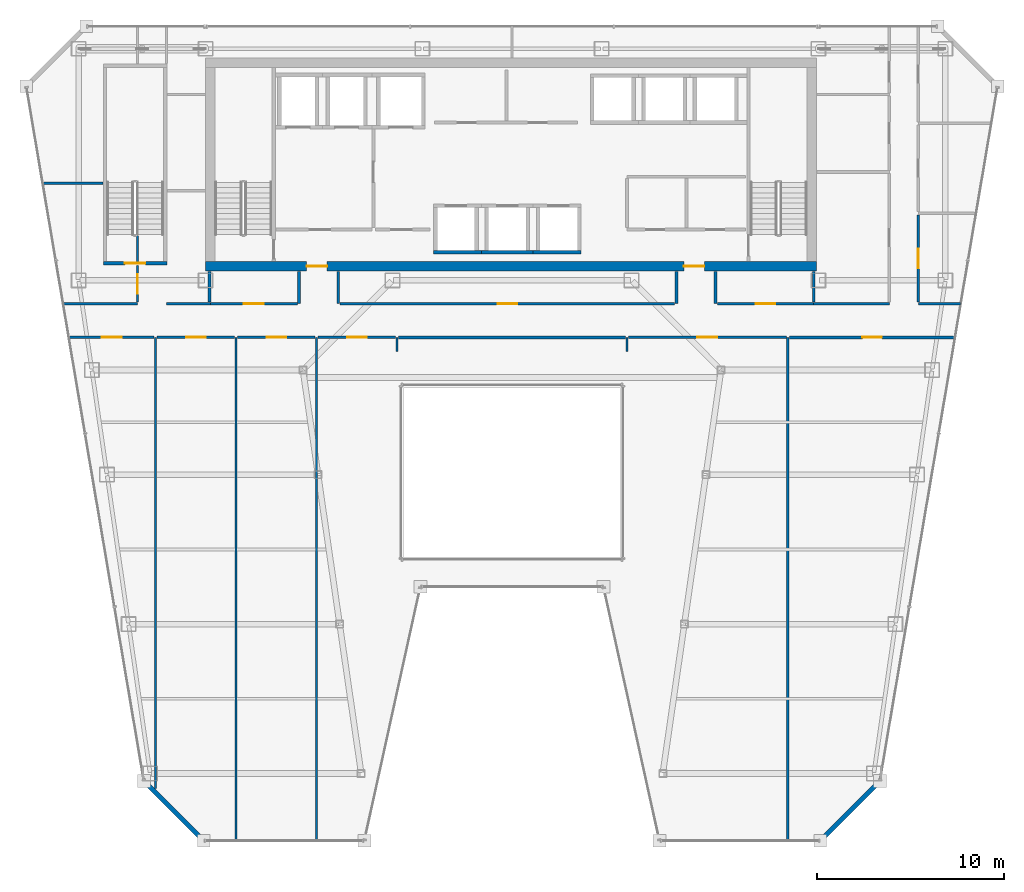
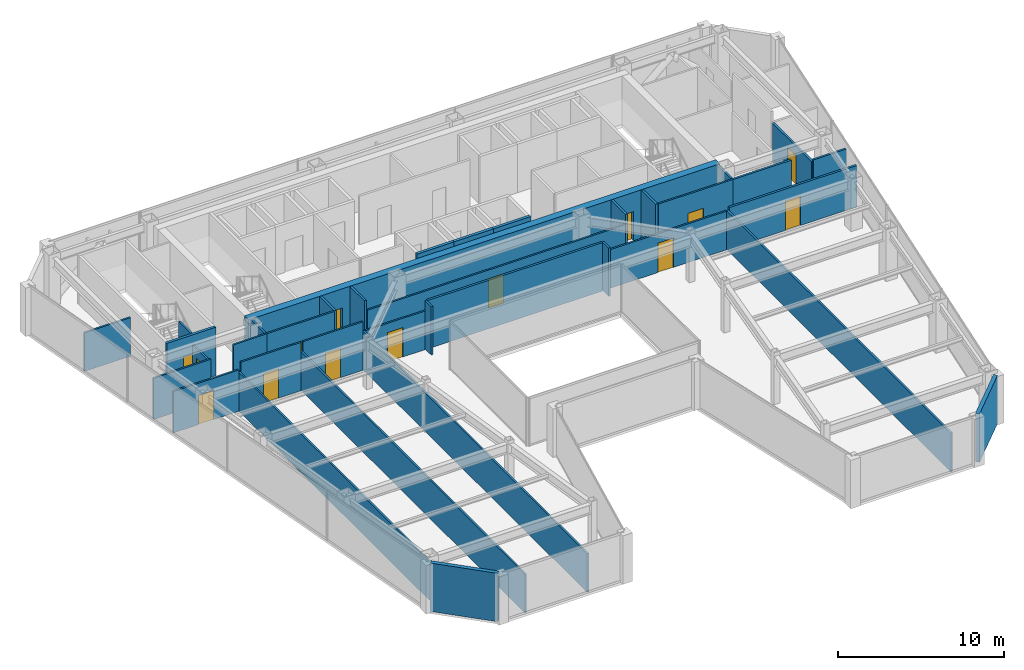
# One storey, part 30 of 35: 37 walls, 14 doors, 14 openings.
"""IFC4 building model written with IfcOpenShell, lengths in metres."""

from ifc_helpers import new_model, si_unit, direction, frame, frame_2d, origin, place, context, subcontext, project, spatial, rectangle, extrude, material, layer, layer_set, type_object, element, fill, save


model = new_model("IFC4")

# Units and contexts
model_context = context("Model", 3, precision=1e-05, world=origin(), true_north=direction((0.0, 1.0)))
body_context = subcontext(model_context, "Body", "Model", "MODEL_VIEW")
ifc_project = project(units=[si_unit("LENGTHUNIT", "METRE"), si_unit("AREAUNIT", "SQUARE_METRE"), si_unit("VOLUMEUNIT", "CUBIC_METRE"), si_unit("PLANEANGLEUNIT", "RADIAN"), si_unit("MASSUNIT", "GRAM", prefix="KILO")], contexts=[model_context])

# Site, building, storey
site_placement = place(None, origin())
site = spatial("IfcSite", under=ifc_project, at=site_placement, CompositionType="ELEMENT")
building_placement = place(site_placement, origin())
building = spatial("IfcBuilding", under=site, at=building_placement, Name="Saevonmaru Cultural Tower", CompositionType="ELEMENT")
storey_placement = place(building_placement, frame((0.0, 0.0, 194.199951171875)))
storey = spatial("IfcBuildingStorey", under=building, at=storey_placement, Name="L44", CompositionType="ELEMENT", Elevation=194.199951171875)

# Wall, openings, doors
ifc_material_1 = material(Name="Concrete C60/75", Category="concrete")
ifc_layer_1 = layer(ifc_material_1, 0.5, Name="Concrete C60/75")
ifc_layer_set_1 = layer_set([ifc_layer_1], Name="Concrete C60/75")
wall_type_1 = type_object("IfcWallType", Name="WL-CORE-500", PredefinedType="SHEAR", material=ifc_layer_set_1)
wall_1_placement = place(storey_placement, frame((13.60009765625, 43.14990234375, 0.0), z_axis=(0.0, 0.0, 1.0), x_axis=(1.0, 0.0, 0.0)))
wall_1 = element("IfcWall", 1, at=wall_1_placement, inside=storey, type_object=wall_type_1, Name="L44 Tower RC core shear wall S", PredefinedType="SHEAR", context=body_context, shape_type="SweptSolid", body=[
    extrude(rectangle(XDim=32.699951171875, YDim=0.5, at=frame_2d((16.35009765625, 0.0))), origin(), (0.0, 0.0, 1.0), 3.550048828125),
])
opening_1_placement = place(wall_1_placement, frame((5.39990234375, 0.0, 0.0)))
opening_1 = element("IfcOpeningElement", 2, at=opening_1_placement, cuts=wall_1, Name="Opening FD-2", PredefinedType="OPENING", context=body_context, shape_type="SweptSolid", body=[
    extrude(rectangle(XDim=1.10009765625, YDim=2.14990234375, at=frame_2d((0.550048828125, 1.074951171875))), frame((0.0, 0.260009765625, 0.0), z_axis=(0.0, -1.0, 0.0), x_axis=(1.0, 0.0, 0.0)), (0.0, 0.0, 1.0), 0.52001953125),
])
opening_2_placement = place(wall_1_placement, frame((25.60009765625, 0.0, 0.0)))
opening_2 = element("IfcOpeningElement", 3, at=opening_2_placement, cuts=wall_1, Name="Opening FD-2", PredefinedType="OPENING", context=body_context, shape_type="SweptSolid", body=[
    extrude(rectangle(XDim=1.10009765625, YDim=2.14990234375, at=frame_2d((0.550048828125, 1.074951171875))), frame((0.0, 0.260009765625, 0.0), z_axis=(0.0, -1.0, 0.0), x_axis=(1.0, 0.0, 0.0)), (0.0, 0.0, 1.0), 0.52001953125),
])
ifc_material_2 = material(Name="Satin Bronze Anodised Aluminium", Category="aluminium")
door_type_1 = type_object("IfcDoorType", Name="DR-FD60-1100", OperationType="SINGLE_SWING_LEFT", PredefinedType="DOOR", material=ifc_material_2)
door_1_placement = place(opening_1_placement, origin())
door_1 = element("IfcDoor", 4, at=door_1_placement, inside=storey, type_object=door_type_1, Name="L44 Core West Lobby Fire Door", OperationType="SINGLE_SWING_LEFT", OverallHeight=2.14990234375, OverallWidth=1.10009765625, PredefinedType="DOOR", context=body_context, shape_type="SweptSolid", body=[
    extrude(rectangle(XDim=1.10009765625, YDim=2.14990234375, at=frame_2d((0.550048828125, 1.074951171875))), frame((0.0, 0.02490234375, 0.0), z_axis=(0.0, -1.0, 0.0), x_axis=(1.0, 0.0, 0.0)), (0.0, 0.0, 1.0), 0.050048828125),
])
fill(opening_1, door_1)
door_2_placement = place(opening_2_placement, origin())
door_2 = element("IfcDoor", 5, at=door_2_placement, inside=storey, type_object=door_type_1, Name="L44 Core East Lobby Fire Door", OperationType="SINGLE_SWING_LEFT", OverallHeight=2.14990234375, OverallWidth=1.10009765625, PredefinedType="DOOR", context=body_context, shape_type="SweptSolid", body=[
    extrude(rectangle(XDim=1.10009765625, YDim=2.14990234375, at=frame_2d((0.550048828125, 1.074951171875))), frame((0.0, 0.02490234375, 0.0), z_axis=(0.0, -1.0, 0.0), x_axis=(1.0, 0.0, 0.0)), (0.0, 0.0, 1.0), 0.050048828125),
])
fill(opening_2, door_2)

# Walls
ifc_material_3 = material(Name="Granite-Clad Precast Concrete C40/50", Category="masonry")
ifc_layer_2 = layer(ifc_material_3, 0.260009765625, Name="Granite-Clad Precast Concrete C40/50")
ifc_layer_set_2 = layer_set([ifc_layer_2], Name="Granite-Clad Precast Concrete C40/50")
wall_type_2 = type_object("IfcWallType", Name="WL-EXT-SPANDREL-260", PredefinedType="STANDARD", material=ifc_layer_set_2)
for number, where, z_axis, x_axis, name in (
    (6, (10.410888671875, 15.48681640625, 0.0), (0.0, 0.0, 1.0), (0.707135806771, -0.70707775441, 0.0), "L44 Chamfer Corner Spandrel Wall E1"),
    (7, (46.615234375, 12.51318359375, 0.0), (0.0, 0.0, 1.0), (0.707135806771, 0.70707775441, 0.0), "L44 Chamfer Corner Spandrel Wall E7"),
):
    element("IfcWall", number, at=place(storey_placement, frame(where, z_axis=z_axis, x_axis=x_axis)), inside=storey, type_object=wall_type_2, Name=name, PredefinedType="STANDARD", context=body_context, shape_type="SweptSolid", body=[
        extrude(rectangle(XDim=4.20556640625, YDim=0.260009765625, at=frame_2d((2.102783203125, 0.0))), origin(), (0.0, 0.0, 1.0), 3.550048828125),
    ])

# Wall, opening, door
ifc_material_4 = material(Name="Gypsum Fireboard Partition", Category="gypsum")
ifc_layer_3 = layer(ifc_material_4, 0.14990234375, Name="Gypsum Fireboard Partition")
ifc_layer_set_3 = layer_set([ifc_layer_3], Name="Gypsum Fireboard Partition")
wall_type_3 = type_object("IfcWallType", Name="WL-PART-FIRE-150", PredefinedType="PARTITIONING", material=ifc_layer_set_3)
wall_2_placement = place(storey_placement, frame((51.75, 41.237548828125, 0.0), z_axis=(0.0, 0.0, 1.0), x_axis=(0.0, 1.0, 0.0)))
wall_2 = element("IfcWall", 8, at=wall_2_placement, inside=storey, type_object=wall_type_3, Name="L44 Special Collections Gallery Corridor Wall", PredefinedType="PARTITIONING", context=body_context, shape_type="SweptSolid", body=[
    extrude(rectangle(XDim=4.675048828125, YDim=0.14990234375, at=frame_2d((2.33740234375, 0.0))), origin(), (0.0, 0.0, 1.0), 2.8349609375),
])
opening_3_placement = place(wall_2_placement, frame((1.81298828125, 0.0, 0.0)))
opening_3 = element("IfcOpeningElement", 9, at=opening_3_placement, cuts=wall_2, Name="Opening ID-1", PredefinedType="OPENING", context=body_context, shape_type="SweptSolid", body=[
    extrude(rectangle(XDim=1.050048828125, YDim=2.14990234375, at=frame_2d((0.52490234375, 1.074951171875))), frame((0.0, 0.0849609375, 0.0), z_axis=(0.0, -1.0, 0.0), x_axis=(1.0, 0.0, 0.0)), (0.0, 0.0, 1.0), 0.169921875),
])
door_type_2 = type_object("IfcDoorType", Name="DR-INT-1050", OperationType="SINGLE_SWING_LEFT", PredefinedType="DOOR", material=ifc_material_2)
door_3_placement = place(opening_3_placement, origin())
door_3 = element("IfcDoor", 10, at=door_3_placement, inside=storey, type_object=door_type_2, Name="L44 Special Collections Gallery Door", OperationType="SINGLE_SWING_RIGHT", OverallHeight=2.14990234375, OverallWidth=1.050048828125, PredefinedType="DOOR", context=body_context, shape_type="SweptSolid", body=[
    extrude(rectangle(XDim=1.050048828125, YDim=2.14990234375, at=frame_2d((0.52490234375, 1.074951171875))), frame((0.0, 0.02490234375, 0.0), z_axis=(0.0, -1.0, 0.0), x_axis=(1.0, 0.0, 0.0)), (0.0, 0.0, 1.0), 0.050048828125),
])
fill(opening_3, door_3)

# Walls
wall_3_placement = place(storey_placement, frame((13.800048828125, 41.22998046875, 0.0), z_axis=(0.0, 0.0, 1.0), x_axis=(0.0, 1.0, 0.0)))
element("IfcWall", 11, at=wall_3_placement, inside=storey, type_object=wall_type_3, Name="L44 Core Portal Side Wall W0", PredefinedType="PARTITIONING", context=body_context, shape_type="SweptSolid", body=[
    extrude(rectangle(XDim=1.64990234375, YDim=0.14990234375, at=frame_2d((0.824951171875, 0.0))), origin(), (0.0, 0.0, 1.0), 3.550048828125),
])
for number, where, z_axis, x_axis, name in (
    (12, (18.60009765625, 41.14990234375, 0.0), (0.0, 0.0, 1.0), (0.0, 1.0, 0.0), "L44 Core Portal Side Wall W1"),
    (13, (20.699951171875, 41.14990234375, 0.0), (0.0, 0.0, 1.0), (0.0, 1.0, 0.0), "L44 Core Portal Side Wall W2"),
    (14, (38.800048828125, 41.14990234375, 0.0), (0.0, 0.0, 1.0), (0.0, 1.0, 0.0), "L44 Core Portal Side Wall E1"),
    (15, (40.89990234375, 41.14990234375, 0.0), (0.0, 0.0, 1.0), (0.0, 1.0, 0.0), "L44 Core Portal Side Wall E2"),
):
    element("IfcWall", number, at=place(storey_placement, frame(where, z_axis=z_axis, x_axis=x_axis)), inside=storey, type_object=wall_type_3, Name=name, PredefinedType="PARTITIONING", context=body_context, shape_type="SweptSolid", body=[
        extrude(rectangle(XDim=1.72998046875, YDim=0.14990234375, at=frame_2d((0.864990234375, 0.0))), origin(), (0.0, 0.0, 1.0), 3.550048828125),
    ])
wall_4_placement = place(storey_placement, frame((23.929931640625, 39.35009765625, 0.0), z_axis=(0.0, 0.0, 1.0), x_axis=(1.0, 0.0, 0.0)))
element("IfcWall", 16, at=wall_4_placement, inside=storey, type_object=wall_type_3, Name="L44 North Atrium Corridor Wall", PredefinedType="PARTITIONING", context=body_context, shape_type="SweptSolid", body=[
    extrude(rectangle(XDim=12.14013671875, YDim=0.14990234375, at=frame_2d((6.070068359375, 0.0))), origin(), (0.0, 0.0, 1.0), 3.550048828125),
])

# Wall, opening, door
wall_5_placement = place(storey_placement, frame((44.857421875, 39.35009765625, 0.0), z_axis=(0.0, 0.0, 1.0), x_axis=(1.0, 0.0, 0.0)))
wall_5 = element("IfcWall", 17, at=wall_5_placement, inside=storey, type_object=wall_type_3, Name="L44 Special Collections Gallery Corridor Wall", PredefinedType="PARTITIONING", context=body_context, shape_type="SweptSolid", body=[
    extrude(rectangle(XDim=8.837646484375, YDim=0.14990234375, at=frame_2d((4.4189453125, 0.0))), origin(), (0.0, 0.0, 1.0), 3.03515625),
])
opening_4_placement = place(wall_5_placement, frame((3.89404296875, 0.0, 0.0)))
opening_4 = element("IfcOpeningElement", 18, at=opening_4_placement, cuts=wall_5, Name="Opening ID-1", PredefinedType="OPENING", context=body_context, shape_type="SweptSolid", body=[
    extrude(rectangle(XDim=1.050048828125, YDim=2.14990234375, at=frame_2d((0.52490234375, 1.074951171875))), frame((0.0, 0.0849609375, 0.0), z_axis=(0.0, -1.0, 0.0), x_axis=(1.0, 0.0, 0.0)), (0.0, 0.0, 1.0), 0.169921875),
])
door_4_placement = place(opening_4_placement, origin())
door_4 = element("IfcDoor", 19, at=door_4_placement, inside=storey, type_object=door_type_2, Name="L44 Special Collections Gallery Door", OperationType="SINGLE_SWING_LEFT", OverallHeight=2.14990234375, OverallWidth=1.050048828125, PredefinedType="DOOR", context=body_context, shape_type="SweptSolid", body=[
    extrude(rectangle(XDim=1.050048828125, YDim=2.14990234375, at=frame_2d((0.52490234375, 1.074951171875))), frame((0.0, 0.02490234375, 0.0), z_axis=(0.0, -1.0, 0.0), x_axis=(1.0, 0.0, 0.0)), (0.0, 0.0, 1.0), 0.050048828125),
])
fill(opening_4, door_4)

# Walls
ifc_layer_4 = layer(ifc_material_4, 0.1201171875, Name="Gypsum Fireboard Partition")
ifc_layer_set_4 = layer_set([ifc_layer_4], Name="Gypsum Fireboard Partition")
wall_type_4 = type_object("IfcWallType", Name="WL-PART-GYP-120", PredefinedType="PARTITIONING", material=ifc_layer_set_4)
wall_6_placement = place(storey_placement, frame((5.977294921875, 41.14990234375, 0.0), z_axis=(0.0, 0.0, 1.0), x_axis=(1.0, 0.0, 0.0)))
element("IfcWall", 20, at=wall_6_placement, inside=storey, type_object=wall_type_4, Name="L44 NW Wing South Wall", PredefinedType="PARTITIONING", context=body_context, shape_type="SweptSolid", body=[
    extrude(rectangle(XDim=3.97265625, YDim=0.1201171875, at=frame_2d((1.986328125, 0.0))), origin(), (0.0, 0.0, 1.0), 3.03515625),
])
wall_7_placement = place(storey_placement, frame((11.5, 41.14990234375, 0.0), z_axis=(0.0, 0.0, 1.0), x_axis=(1.0, 0.0, 0.0)))
element("IfcWall", 21, at=wall_7_placement, inside=storey, type_object=wall_type_4, Name="L44 NW Inner South Wall", PredefinedType="PARTITIONING", context=body_context, shape_type="SweptSolid", body=[
    extrude(rectangle(XDim=2.35009765625, YDim=0.1201171875, at=frame_2d((1.175048828125, 0.0))), origin(), (0.0, 0.0, 1.0), 3.550048828125),
])
wall_8_placement = place(storey_placement, frame((4.885498046875, 47.60009765625, 0.0), z_axis=(0.0, 0.0, 1.0), x_axis=(1.0, 0.0, 0.0)))
element("IfcWall", 22, at=wall_8_placement, inside=storey, type_object=wall_type_4, Name="L44 NW Studio Divider 1", PredefinedType="PARTITIONING", context=body_context, shape_type="SweptSolid", body=[
    extrude(rectangle(XDim=3.214599609375, YDim=0.1201171875, at=frame_2d((1.607421875, 0.0))), origin(), (0.0, 0.0, 1.0), 2.8349609375),
])

# Wall, opening, door
wall_9_placement = place(storey_placement, frame((9.949951171875, 41.22998046875, 0.0), z_axis=(0.0, 0.0, 1.0), x_axis=(0.0, 1.0, 0.0)))
wall_9 = element("IfcWall", 23, at=wall_9_placement, inside=storey, type_object=wall_type_4, Name="L44 Rare Manuscript Reading Room Corridor Wall", PredefinedType="PARTITIONING", context=body_context, shape_type="SweptSolid", body=[
    extrude(rectangle(XDim=1.969970703125, YDim=0.1201171875, at=frame_2d((0.98486328125, 0.0))), origin(), (0.0, 0.0, 1.0), 2.8349609375),
])
opening_5_placement = place(wall_9_placement, frame((0.4599609375, 0.0, 0.0)))
opening_5 = element("IfcOpeningElement", 24, at=opening_5_placement, cuts=wall_9, Name="Opening ID-1", PredefinedType="OPENING", context=body_context, shape_type="SweptSolid", body=[
    extrude(rectangle(XDim=1.050048828125, YDim=2.14990234375, at=frame_2d((0.52490234375, 1.074951171875))), frame((0.0, 0.070068359375, 0.0), z_axis=(0.0, -1.0, 0.0), x_axis=(1.0, 0.0, 0.0)), (0.0, 0.0, 1.0), 0.14013671875),
])
door_5_placement = place(opening_5_placement, origin())
door_5 = element("IfcDoor", 25, at=door_5_placement, inside=storey, type_object=door_type_2, Name="L44 Rare Manuscript Reading Room Door", OperationType="SINGLE_SWING_LEFT", OverallHeight=2.14990234375, OverallWidth=1.050048828125, PredefinedType="DOOR", context=body_context, shape_type="SweptSolid", body=[
    extrude(rectangle(XDim=1.050048828125, YDim=2.14990234375, at=frame_2d((0.52490234375, 1.074951171875))), frame((0.0, 0.02490234375, 0.0), z_axis=(0.0, -1.0, 0.0), x_axis=(1.0, 0.0, 0.0)), (0.0, 0.0, 1.0), 0.050048828125),
])
fill(opening_5, door_5)

# Wall
wall_10_placement = place(storey_placement, frame((9.949951171875, 43.419921875, 0.0), z_axis=(0.0, 0.0, 1.0), x_axis=(0.0, 1.0, 0.0)))
element("IfcWall", 26, at=wall_10_placement, inside=storey, type_object=wall_type_4, Name="L44 Rare Manuscript Reading Room Corridor Wall (2)", PredefinedType="PARTITIONING", context=body_context, shape_type="SweptSolid", body=[
    extrude(rectangle(XDim=1.4501953125, YDim=0.1201171875, at=frame_2d((0.72509765625, 0.0))), origin(), (0.0, 0.0, 1.0), 3.550048828125),
])

# Wall, opening, door
wall_11_placement = place(storey_placement, frame((13.85009765625, 41.14990234375, 0.0), z_axis=(0.0, 0.0, 1.0), x_axis=(1.0, 0.0, 0.0)))
wall_11 = element("IfcWall", 27, at=wall_11_placement, inside=storey, type_object=wall_type_4, Name="L44 Rare Manuscript Reading Room Corridor Wall", PredefinedType="PARTITIONING", context=body_context, shape_type="SweptSolid", body=[
    extrude(rectangle(XDim=4.65478515625, YDim=0.1201171875, at=frame_2d((2.327392578125, 0.0))), origin(), (0.0, 0.0, 1.0), 3.550048828125),
])
opening_6_placement = place(wall_11_placement, frame((1.802001953125, 0.0, 0.0)))
opening_6 = element("IfcOpeningElement", 28, at=opening_6_placement, cuts=wall_11, Name="Opening ID-1", PredefinedType="OPENING", context=body_context, shape_type="SweptSolid", body=[
    extrude(rectangle(XDim=1.050048828125, YDim=2.14990234375, at=frame_2d((0.52490234375, 1.074951171875))), frame((0.0, 0.070068359375, 0.0), z_axis=(0.0, -1.0, 0.0), x_axis=(1.0, 0.0, 0.0)), (0.0, 0.0, 1.0), 0.14013671875),
])
door_6_placement = place(opening_6_placement, origin())
door_6 = element("IfcDoor", 29, at=door_6_placement, inside=storey, type_object=door_type_2, Name="L44 Rare Manuscript Reading Room Door", OperationType="SINGLE_SWING_LEFT", OverallHeight=2.14990234375, OverallWidth=1.050048828125, PredefinedType="DOOR", context=body_context, shape_type="SweptSolid", body=[
    extrude(rectangle(XDim=1.050048828125, YDim=2.14990234375, at=frame_2d((0.52490234375, 1.074951171875))), frame((0.0, 0.02490234375, 0.0), z_axis=(0.0, -1.0, 0.0), x_axis=(1.0, 0.0, 0.0)), (0.0, 0.0, 1.0), 0.050048828125),
])
fill(opening_6, door_6)

wall_12_placement = place(storey_placement, frame((20.794921875, 41.14990234375, 0.0), z_axis=(0.0, 0.0, 1.0), x_axis=(1.0, 0.0, 0.0)))
wall_12 = element("IfcWall", 30, at=wall_12_placement, inside=storey, type_object=wall_type_4, Name="L44 Cartographic Study Library Corridor Wall", PredefinedType="PARTITIONING", context=body_context, shape_type="SweptSolid", body=[
    extrude(rectangle(XDim=17.91015625, YDim=0.1201171875, at=frame_2d((8.955078125, 0.0))), origin(), (0.0, 0.0, 1.0), 2.8349609375),
])
opening_7_placement = place(wall_12_placement, frame((8.429931640625, 0.0, 0.0)))
opening_7 = element("IfcOpeningElement", 31, at=opening_7_placement, cuts=wall_12, Name="Opening ID-1", PredefinedType="OPENING", context=body_context, shape_type="SweptSolid", body=[
    extrude(rectangle(XDim=1.050048828125, YDim=2.14990234375, at=frame_2d((0.52490234375, 1.074951171875))), frame((0.0, 0.070068359375, 0.0), z_axis=(0.0, -1.0, 0.0), x_axis=(1.0, 0.0, 0.0)), (0.0, 0.0, 1.0), 0.14013671875),
])
door_7_placement = place(opening_7_placement, origin())
door_7 = element("IfcDoor", 32, at=door_7_placement, inside=storey, type_object=door_type_2, Name="L44 Cartographic Study Library Door", OperationType="SINGLE_SWING_RIGHT", OverallHeight=2.14990234375, OverallWidth=1.050048828125, PredefinedType="DOOR", context=body_context, shape_type="SweptSolid", body=[
    extrude(rectangle(XDim=1.050048828125, YDim=2.14990234375, at=frame_2d((0.52490234375, 1.074951171875))), frame((0.0, 0.02490234375, 0.0), z_axis=(0.0, -1.0, 0.0), x_axis=(1.0, 0.0, 0.0)), (0.0, 0.0, 1.0), 0.050048828125),
])
fill(opening_7, door_7)

wall_13_placement = place(storey_placement, frame((40.9951171875, 41.14990234375, 0.0), z_axis=(0.0, 0.0, 1.0), x_axis=(1.0, 0.0, 0.0)))
wall_13 = element("IfcWall", 33, at=wall_13_placement, inside=storey, type_object=wall_type_4, Name="L44 Periodical Reading Room Corridor Wall", PredefinedType="PARTITIONING", context=body_context, shape_type="SweptSolid", body=[
    extrude(rectangle(XDim=5.15478515625, YDim=0.1201171875, at=frame_2d((2.577392578125, 0.0))), origin(), (0.0, 0.0, 1.0), 3.550048828125),
])
opening_8_placement = place(wall_13_placement, frame((2.052978515625, 0.0, 0.0)))
opening_8 = element("IfcOpeningElement", 34, at=opening_8_placement, cuts=wall_13, Name="Opening ID-1", PredefinedType="OPENING", context=body_context, shape_type="SweptSolid", body=[
    extrude(rectangle(XDim=1.050048828125, YDim=2.14990234375, at=frame_2d((0.52490234375, 1.074951171875))), frame((0.0, 0.070068359375, 0.0), z_axis=(0.0, -1.0, 0.0), x_axis=(1.0, 0.0, 0.0)), (0.0, 0.0, 1.0), 0.14013671875),
])
door_8_placement = place(opening_8_placement, origin())
door_8 = element("IfcDoor", 35, at=door_8_placement, inside=storey, type_object=door_type_2, Name="L44 Periodical Reading Room Door", OperationType="SINGLE_SWING_LEFT", OverallHeight=2.14990234375, OverallWidth=1.050048828125, PredefinedType="DOOR", context=body_context, shape_type="SweptSolid", body=[
    extrude(rectangle(XDim=1.050048828125, YDim=2.14990234375, at=frame_2d((0.52490234375, 1.074951171875))), frame((0.0, 0.02490234375, 0.0), z_axis=(0.0, -1.0, 0.0), x_axis=(1.0, 0.0, 0.0)), (0.0, 0.0, 1.0), 0.050048828125),
])
fill(opening_8, door_8)

# Walls
wall_14_placement = place(storey_placement, frame((10.919921875, 15.18994140625, 0.0), z_axis=(0.0, 0.0, 1.0), x_axis=(0.0, 1.0, 0.0)))
element("IfcWall", 36, at=wall_14_placement, inside=storey, type_object=wall_type_4, Name="L44 West Bay Divider 1", PredefinedType="PARTITIONING", context=body_context, shape_type="SweptSolid", body=[
    extrude(rectangle(XDim=24.16015625, YDim=0.1201171875, at=frame_2d((12.080078125, 0.0))), origin(), (0.0, 0.0, 1.0), 2.8349609375),
])
for number, where, z_axis, x_axis, name in (
    (37, (15.22998046875, 12.405029296875, 0.0), (0.0, 0.0, 1.0), (0.0, 1.0, 0.0), "L44 West Bay Divider 2"),
    (38, (19.5400390625, 12.405029296875, 0.0), (0.0, 0.0, 1.0), (0.0, 1.0, 0.0), "L44 West Bay Divider 3"),
):
    element("IfcWall", number, at=place(storey_placement, frame(where, z_axis=z_axis, x_axis=x_axis)), inside=storey, type_object=wall_type_4, Name=name, PredefinedType="PARTITIONING", context=body_context, shape_type="SweptSolid", body=[
        extrude(rectangle(XDim=26.945068359375, YDim=0.1201171875, at=frame_2d((13.47265625, 0.0))), origin(), (0.0, 0.0, 1.0), 2.8349609375),
    ])
for number, where, z_axis, x_axis, name in (
    (39, (23.85009765625, 38.60009765625, 0.0), (0.0, 0.0, 1.0), (0.0, 1.0, 0.0), "L44 North Atrium West Wall"),
    (40, (36.14990234375, 38.60009765625, 0.0), (0.0, 0.0, 1.0), (0.0, 1.0, 0.0), "L44 North Atrium East Wall"),
):
    element("IfcWall", number, at=place(storey_placement, frame(where, z_axis=z_axis, x_axis=x_axis)), inside=storey, type_object=wall_type_4, Name=name, PredefinedType="PARTITIONING", context=body_context, shape_type="SweptSolid", body=[
        extrude(rectangle(XDim=0.75, YDim=0.1201171875, at=frame_2d((0.375, 0.0))), origin(), (0.0, 0.0, 1.0), 3.550048828125),
    ])

# Wall, opening, door
wall_15_placement = place(storey_placement, frame((6.304931640625, 39.35009765625, 0.0), z_axis=(0.0, 0.0, 1.0), x_axis=(1.0, 0.0, 0.0)))
wall_15 = element("IfcWall", 41, at=wall_15_placement, inside=storey, type_object=wall_type_4, Name="L44 Rare Manuscript Reading Room Corridor Wall", PredefinedType="PARTITIONING", context=body_context, shape_type="SweptSolid", body=[
    extrude(rectangle(XDim=4.53515625, YDim=0.1201171875, at=frame_2d((2.267578125, 0.0))), origin(), (0.0, 0.0, 1.0), 3.03515625),
])
opening_9_placement = place(wall_15_placement, frame((1.742919921875, 0.0, 0.0)))
opening_9 = element("IfcOpeningElement", 42, at=opening_9_placement, cuts=wall_15, Name="Opening ID-1", PredefinedType="OPENING", context=body_context, shape_type="SweptSolid", body=[
    extrude(rectangle(XDim=1.050048828125, YDim=2.14990234375, at=frame_2d((0.52490234375, 1.074951171875))), frame((0.0, 0.070068359375, 0.0), z_axis=(0.0, -1.0, 0.0), x_axis=(1.0, 0.0, 0.0)), (0.0, 0.0, 1.0), 0.14013671875),
])
door_9_placement = place(opening_9_placement, origin())
door_9 = element("IfcDoor", 43, at=door_9_placement, inside=storey, type_object=door_type_2, Name="L44 Rare Manuscript Reading Room Door", OperationType="SINGLE_SWING_RIGHT", OverallHeight=2.14990234375, OverallWidth=1.050048828125, PredefinedType="DOOR", context=body_context, shape_type="SweptSolid", body=[
    extrude(rectangle(XDim=1.050048828125, YDim=2.14990234375, at=frame_2d((0.52490234375, 1.074951171875))), frame((0.0, 0.02490234375, 0.0), z_axis=(0.0, -1.0, 0.0), x_axis=(1.0, 0.0, 0.0)), (0.0, 0.0, 1.0), 0.050048828125),
])
fill(opening_9, door_9)

wall_16_placement = place(storey_placement, frame((11.0, 39.35009765625, 0.0), z_axis=(0.0, 0.0, 1.0), x_axis=(1.0, 0.0, 0.0)))
wall_16 = element("IfcWall", 44, at=wall_16_placement, inside=storey, type_object=wall_type_4, Name="L44 Cartographic Study Library Corridor Wall", PredefinedType="PARTITIONING", context=body_context, shape_type="SweptSolid", body=[
    extrude(rectangle(XDim=4.14990234375, YDim=0.1201171875, at=frame_2d((2.074951171875, 0.0))), origin(), (0.0, 0.0, 1.0), 3.550048828125),
])
opening_10_placement = place(wall_16_placement, frame((1.550048828125, 0.0, 0.0)))
opening_10 = element("IfcOpeningElement", 45, at=opening_10_placement, cuts=wall_16, Name="Opening ID-1", PredefinedType="OPENING", context=body_context, shape_type="SweptSolid", body=[
    extrude(rectangle(XDim=1.050048828125, YDim=2.14990234375, at=frame_2d((0.52490234375, 1.074951171875))), frame((0.0, 0.070068359375, 0.0), z_axis=(0.0, -1.0, 0.0), x_axis=(1.0, 0.0, 0.0)), (0.0, 0.0, 1.0), 0.14013671875),
])
door_10_placement = place(opening_10_placement, origin())
door_10 = element("IfcDoor", 46, at=door_10_placement, inside=storey, type_object=door_type_2, Name="L44 Cartographic Study Library Door", OperationType="SINGLE_SWING_LEFT", OverallHeight=2.14990234375, OverallWidth=1.050048828125, PredefinedType="DOOR", context=body_context, shape_type="SweptSolid", body=[
    extrude(rectangle(XDim=1.050048828125, YDim=2.14990234375, at=frame_2d((0.52490234375, 1.074951171875))), frame((0.0, 0.02490234375, 0.0), z_axis=(0.0, -1.0, 0.0), x_axis=(1.0, 0.0, 0.0)), (0.0, 0.0, 1.0), 0.050048828125),
])
fill(opening_10, door_10)

wall_17_placement = place(storey_placement, frame((15.31005859375, 39.35009765625, 0.0), z_axis=(0.0, 0.0, 1.0), x_axis=(1.0, 0.0, 0.0)))
wall_17 = element("IfcWall", 47, at=wall_17_placement, inside=storey, type_object=wall_type_4, Name="L44 Periodical Reading Room Corridor Wall", PredefinedType="PARTITIONING", context=body_context, shape_type="SweptSolid", body=[
    extrude(rectangle(XDim=4.14990234375, YDim=0.1201171875, at=frame_2d((2.074951171875, 0.0))), origin(), (0.0, 0.0, 1.0), 3.550048828125),
])
opening_11_placement = place(wall_17_placement, frame((1.550048828125, 0.0, 0.0)))
opening_11 = element("IfcOpeningElement", 48, at=opening_11_placement, cuts=wall_17, Name="Opening ID-1", PredefinedType="OPENING", context=body_context, shape_type="SweptSolid", body=[
    extrude(rectangle(XDim=1.050048828125, YDim=2.14990234375, at=frame_2d((0.52490234375, 1.074951171875))), frame((0.0, 0.070068359375, 0.0), z_axis=(0.0, -1.0, 0.0), x_axis=(1.0, 0.0, 0.0)), (0.0, 0.0, 1.0), 0.14013671875),
])
door_11_placement = place(opening_11_placement, origin())
door_11 = element("IfcDoor", 49, at=door_11_placement, inside=storey, type_object=door_type_2, Name="L44 Periodical Reading Room Door", OperationType="SINGLE_SWING_RIGHT", OverallHeight=2.14990234375, OverallWidth=1.050048828125, PredefinedType="DOOR", context=body_context, shape_type="SweptSolid", body=[
    extrude(rectangle(XDim=1.050048828125, YDim=2.14990234375, at=frame_2d((0.52490234375, 1.074951171875))), frame((0.0, 0.02490234375, 0.0), z_axis=(0.0, -1.0, 0.0), x_axis=(1.0, 0.0, 0.0)), (0.0, 0.0, 1.0), 0.050048828125),
])
fill(opening_11, door_11)

wall_18_placement = place(storey_placement, frame((19.6201171875, 39.35009765625, 0.0), z_axis=(0.0, 0.0, 1.0), x_axis=(1.0, 0.0, 0.0)))
wall_18 = element("IfcWall", 50, at=wall_18_placement, inside=storey, type_object=wall_type_4, Name="L44 Rare Manuscript Reading Room Corridor Wall", PredefinedType="PARTITIONING", context=body_context, shape_type="SweptSolid", body=[
    extrude(rectangle(XDim=4.14990234375, YDim=0.1201171875, at=frame_2d((2.074951171875, 0.0))), origin(), (0.0, 0.0, 1.0), 2.8349609375),
])
opening_12_placement = place(wall_18_placement, frame((1.550048828125, 0.0, 0.0)))
opening_12 = element("IfcOpeningElement", 51, at=opening_12_placement, cuts=wall_18, Name="Opening ID-1", PredefinedType="OPENING", context=body_context, shape_type="SweptSolid", body=[
    extrude(rectangle(XDim=1.050048828125, YDim=2.14990234375, at=frame_2d((0.52490234375, 1.074951171875))), frame((0.0, 0.070068359375, 0.0), z_axis=(0.0, -1.0, 0.0), x_axis=(1.0, 0.0, 0.0)), (0.0, 0.0, 1.0), 0.14013671875),
])
door_12_placement = place(opening_12_placement, origin())
door_12 = element("IfcDoor", 52, at=door_12_placement, inside=storey, type_object=door_type_2, Name="L44 Rare Manuscript Reading Room Door", OperationType="SINGLE_SWING_LEFT", OverallHeight=2.14990234375, OverallWidth=1.050048828125, PredefinedType="DOOR", context=body_context, shape_type="SweptSolid", body=[
    extrude(rectangle(XDim=1.050048828125, YDim=2.14990234375, at=frame_2d((0.52490234375, 1.074951171875))), frame((0.0, 0.02490234375, 0.0), z_axis=(0.0, -1.0, 0.0), x_axis=(1.0, 0.0, 0.0)), (0.0, 0.0, 1.0), 0.050048828125),
])
fill(opening_12, door_12)

wall_19_placement = place(storey_placement, frame((36.22998046875, 39.35009765625, 0.0), z_axis=(0.0, 0.0, 1.0), x_axis=(1.0, 0.0, 0.0)))
wall_19 = element("IfcWall", 53, at=wall_19_placement, inside=storey, type_object=wall_type_4, Name="L44 Periodical Reading Room Corridor Wall", PredefinedType="PARTITIONING", context=body_context, shape_type="SweptSolid", body=[
    extrude(rectangle(XDim=8.45263671875, YDim=0.1201171875, at=frame_2d((4.226318359375, 0.0))), origin(), (0.0, 0.0, 1.0), 2.8349609375),
])
opening_13_placement = place(wall_19_placement, frame((3.700927734375, 0.0, 0.0)))
opening_13 = element("IfcOpeningElement", 54, at=opening_13_placement, cuts=wall_19, Name="Opening ID-1", PredefinedType="OPENING", context=body_context, shape_type="SweptSolid", body=[
    extrude(rectangle(XDim=1.050048828125, YDim=2.14990234375, at=frame_2d((0.52490234375, 1.074951171875))), frame((0.0, 0.070068359375, 0.0), z_axis=(0.0, -1.0, 0.0), x_axis=(1.0, 0.0, 0.0)), (0.0, 0.0, 1.0), 0.14013671875),
])
door_13_placement = place(opening_13_placement, origin())
door_13 = element("IfcDoor", 55, at=door_13_placement, inside=storey, type_object=door_type_2, Name="L44 Periodical Reading Room Door", OperationType="SINGLE_SWING_RIGHT", OverallHeight=2.14990234375, OverallWidth=1.050048828125, PredefinedType="DOOR", context=body_context, shape_type="SweptSolid", body=[
    extrude(rectangle(XDim=1.050048828125, YDim=2.14990234375, at=frame_2d((0.52490234375, 1.074951171875))), frame((0.0, 0.02490234375, 0.0), z_axis=(0.0, -1.0, 0.0), x_axis=(1.0, 0.0, 0.0)), (0.0, 0.0, 1.0), 0.050048828125),
])
fill(opening_13, door_13)

# Walls
ifc_layer_5 = layer(ifc_material_4, 0.135009765625, Name="Gypsum Fireboard Partition")
ifc_layer_set_5 = layer_set([ifc_layer_5], Name="Gypsum Fireboard Partition")
wall_type_5 = type_object("IfcWallType", Name="WL-PART-GYP-135", PredefinedType="PARTITIONING", material=ifc_layer_set_5)
wall_20_placement = place(storey_placement, frame((51.75, 41.14990234375, 0.0), z_axis=(0.0, 0.0, 1.0), x_axis=(1.0, 0.0, 0.0)))
element("IfcWall", 56, at=wall_20_placement, inside=storey, type_object=wall_type_5, Name="L44 NE Wing South Wall", PredefinedType="PARTITIONING", context=body_context, shape_type="SweptSolid", body=[
    extrude(rectangle(XDim=2.272705078125, YDim=0.135009765625, at=frame_2d((1.13623046875, 0.0))), origin(), (0.0, 0.0, 1.0), 3.03515625),
])
wall_21_placement = place(storey_placement, frame((44.77001953125, 12.405029296875, 0.0), z_axis=(0.0, 0.0, 1.0), x_axis=(0.0, 1.0, 0.0)))
element("IfcWall", 57, at=wall_21_placement, inside=storey, type_object=wall_type_5, Name="L44 East Bay Divider 1", PredefinedType="PARTITIONING", context=body_context, shape_type="SweptSolid", body=[
    extrude(rectangle(XDim=26.945068359375, YDim=0.135009765625, at=frame_2d((13.47265625, 0.0))), origin(), (0.0, 0.0, 1.0), 2.8349609375),
])
ifc_layer_6 = layer(ifc_material_4, 0.139892578125, Name="Gypsum Fireboard Partition")
ifc_layer_set_6 = layer_set([ifc_layer_6], Name="Gypsum Fireboard Partition")
wall_type_6 = type_object("IfcWallType", Name="WL-PART-WET-140", PredefinedType="PARTITIONING", material=ifc_layer_set_6)
wall_22_placement = place(storey_placement, frame((46.14990234375, 41.14990234375, 0.0), z_axis=(0.0, 0.0, 1.0), x_axis=(1.0, 0.0, 0.0)))
element("IfcWall", 58, at=wall_22_placement, inside=storey, type_object=wall_type_6, Name="L44 Washroom South Wall", PredefinedType="PARTITIONING", context=body_context, shape_type="SweptSolid", body=[
    extrude(rectangle(XDim=4.050048828125, YDim=0.139892578125, at=frame_2d((2.02490234375, 0.0))), origin(), (0.0, 0.0, 1.0), 3.550048828125),
])
wall_23_placement = place(storey_placement, frame((46.14990234375, 41.239990234375, 0.0), z_axis=(0.0, 0.0, 1.0), x_axis=(0.0, 1.0, 0.0)))
element("IfcWall", 59, at=wall_23_placement, inside=storey, type_object=wall_type_6, Name="L44 Washroom South-West Return", PredefinedType="PARTITIONING", context=body_context, shape_type="SweptSolid", body=[
    extrude(rectangle(XDim=1.639892578125, YDim=0.139892578125, at=frame_2d((0.81982421875, 0.0))), origin(), (0.0, 0.0, 1.0), 3.550048828125),
])
ifc_material_5 = material(Name="Concrete C40/50", Category="concrete")
ifc_layer_7 = layer(ifc_material_5, 0.199951171875, Name="Concrete C40/50")
ifc_layer_set_7 = layer_set([ifc_layer_7], Name="Concrete C40/50")
wall_type_7 = type_object("IfcWallType", Name="WL-SHAFT-200", PredefinedType="SHEAR", material=ifc_layer_set_7)
wall_24_placement = place(storey_placement, frame((25.800048828125, 43.89990234375, 0.0), z_axis=(0.0, 0.0, 1.0), x_axis=(1.0, 0.0, 0.0)))
element("IfcWall", 60, at=wall_24_placement, inside=storey, type_object=wall_type_7, Name="L44 Lift PL-M1 Hoistway Wall S", PredefinedType="SHEAR", context=body_context, shape_type="SweptSolid", body=[
    extrude(rectangle(XDim=2.574951171875, YDim=0.199951171875, at=frame_2d((1.28759765625, 0.0))), origin(), (0.0, 0.0, 1.0), 3.550048828125),
])
wall_25_placement = place(storey_placement, frame((28.375, 43.89990234375, 0.0), z_axis=(0.0, 0.0, 1.0), x_axis=(1.0, 0.0, 0.0)))
element("IfcWall", 61, at=wall_25_placement, inside=storey, type_object=wall_type_7, Name="L44 Lift PL-M2 Hoistway Wall S", PredefinedType="SHEAR", context=body_context, shape_type="SweptSolid", body=[
    extrude(rectangle(XDim=2.75, YDim=0.199951171875, at=frame_2d((1.375, 0.0))), origin(), (0.0, 0.0, 1.0), 3.550048828125),
])
wall_26_placement = place(storey_placement, frame((31.125, 43.89990234375, 0.0), z_axis=(0.0, 0.0, 1.0), x_axis=(1.0, 0.0, 0.0)))
element("IfcWall", 62, at=wall_26_placement, inside=storey, type_object=wall_type_7, Name="L44 Lift PL-M3 Hoistway Wall S", PredefinedType="SHEAR", context=body_context, shape_type="SweptSolid", body=[
    extrude(rectangle(XDim=2.574951171875, YDim=0.199951171875, at=frame_2d((1.28759765625, 0.0))), origin(), (0.0, 0.0, 1.0), 3.550048828125),
])

# Wall, opening, door
ifc_layer_8 = layer(ifc_material_5, 0.179931640625, Name="Concrete C40/50")
ifc_layer_set_8 = layer_set([ifc_layer_8], Name="Concrete C40/50")
wall_type_8 = type_object("IfcWallType", Name="WL-STSHAFT-180", PredefinedType="SHEAR", material=ifc_layer_set_8)
wall_27_placement = place(storey_placement, frame((8.1201171875, 43.31005859375, 0.0), z_axis=(0.0, 0.0, 1.0), x_axis=(1.0, 0.0, 0.0)))
wall_27 = element("IfcWall", 63, at=wall_27_placement, inside=storey, type_object=wall_type_8, Name="L44 Stair ST-3 Structural Shaft Wall 1", PredefinedType="SHEAR", context=body_context, shape_type="SweptSolid", body=[
    extrude(rectangle(XDim=3.409912109375, YDim=0.179931640625, at=frame_2d((1.705078125, 0.0))), origin(), (0.0, 0.0, 1.0), 3.550048828125),
])
opening_14_placement = place(wall_27_placement, frame((1.14990234375, 0.0, 0.0)))
opening_14 = element("IfcOpeningElement", 64, at=opening_14_placement, cuts=wall_27, Name="Opening FD-2", PredefinedType="OPENING", context=body_context, shape_type="SweptSolid", body=[
    extrude(rectangle(XDim=1.10009765625, YDim=2.14990234375, at=frame_2d((0.550048828125, 1.074951171875))), frame((0.0, 0.10009765625, 0.0), z_axis=(0.0, -1.0, 0.0), x_axis=(1.0, 0.0, 0.0)), (0.0, 0.0, 1.0), 0.199951171875),
])
door_14_placement = place(opening_14_placement, origin())
door_14 = element("IfcDoor", 65, at=door_14_placement, inside=storey, type_object=door_type_1, Name="L44 Protected Stair ST-3 Fire Door", OperationType="SINGLE_SWING_LEFT", OverallHeight=2.14990234375, OverallWidth=1.10009765625, PredefinedType="DOOR", context=body_context, shape_type="SweptSolid", body=[
    extrude(rectangle(XDim=1.10009765625, YDim=2.14990234375, at=frame_2d((0.550048828125, 1.074951171875))), frame((0.0, 0.02490234375, 0.0), z_axis=(0.0, -1.0, 0.0), x_axis=(1.0, 0.0, 0.0)), (0.0, 0.0, 1.0), 0.050048828125),
])
fill(opening_14, door_14)

save(model, "model.ifc")
